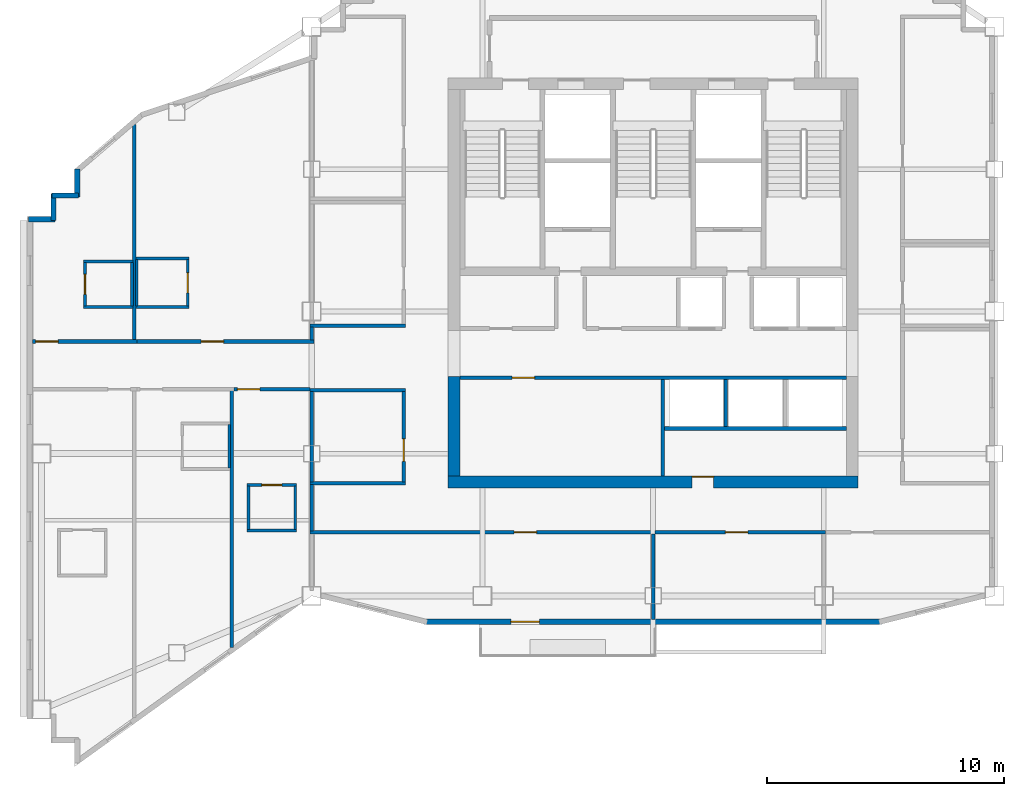
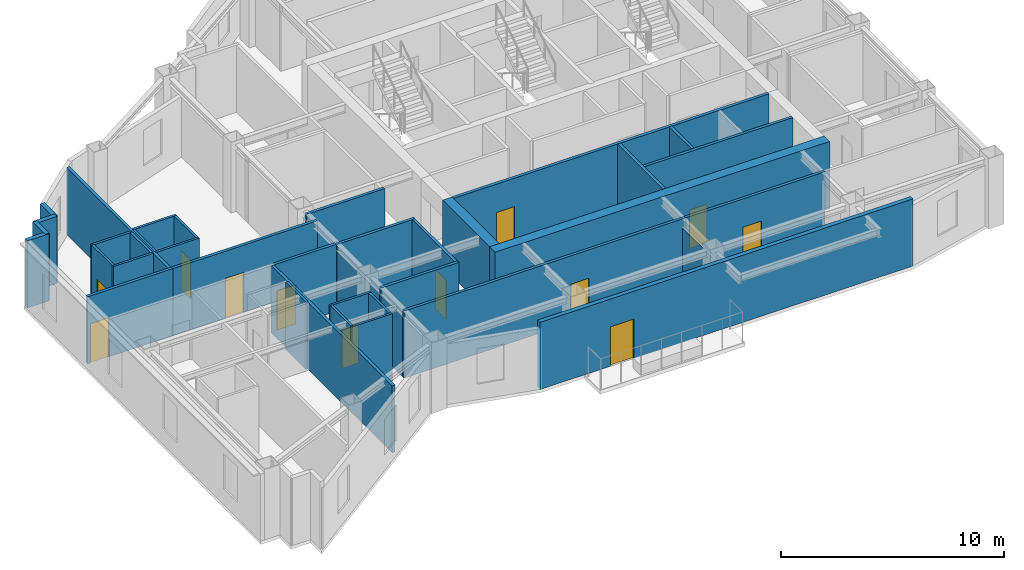
# One storey, part 5 of 10: 39 walls, 12 doors, 12 openings.
"""IFC4 building model written with IfcOpenShell, lengths in metres."""

import ifcopenshell
import ifcopenshell.guid

model = None  # the IFC model being written
_history = None  # IfcOwnerHistory: only IFC2X3 demands one
_inside = {}  # id of a spatial element -> (the spatial element, [elements in it])
_under = {}  # id of a project, library or spatial element -> (it, [spatial elements below it])
_declared = {}  # id of a project -> (the project, [libraries it declares])
_typed = {}  # id of a type object -> (the type object, [elements of that type])
_made_of = {}  # id of a material, layer set ... -> (it, [elements and type objects made of it])


def new_model(schema):
    """Start an empty IFC model of exactly this schema.

    Asked for "IFC4X3", IfcOpenShell would pick the latest addendum, in which some entities
    have other attributes; the version numbers below select the first issue.
    IFC2X3 requires an IfcOwnerHistory on every rooted entity: one is made here for all.
    """
    global model, _history
    if schema == "IFC4X3":
        model = ifcopenshell.file(schema_version=(4, 3, 0, 0))
    else:
        model = ifcopenshell.file(schema=schema)
    _inside.clear()
    _under.clear()
    _declared.clear()
    _typed.clear()
    _made_of.clear()
    _history = None
    if model.schema == "IFC2X3":
        org = make("IfcOrganization", Name="unknown")
        user = make(
            "IfcPersonAndOrganization",
            ThePerson=make("IfcPerson", FamilyName="unknown"),
            TheOrganization=org,
        )
        app = make(
            "IfcApplication",
            ApplicationDeveloper=org,
            Version="unknown",
            ApplicationFullName="unknown",
            ApplicationIdentifier="unknown",
        )
        _history = make(
            "IfcOwnerHistory",
            OwningUser=user,
            OwningApplication=app,
            ChangeAction="ADDED",
            CreationDate=0,
        )
    return model


def make(cls, **values):
    """One entity of the class cls with the attributes given. An attribute that is None is left unset."""
    return model.create_entity(
        cls, **{name: value for name, value in values.items() if value is not None}
    )


def rooted(cls, **values):
    """An entity with a GlobalId (a new one), such as an element, a storey or a relation."""
    return make(cls, GlobalId=ifcopenshell.guid.new(), OwnerHistory=_history, **values)


def si_unit(unit_type, name, prefix=None):
    """IfcSIUnit, for example si_unit("LENGTHUNIT", "METRE", prefix="MILLI")."""
    return make("IfcSIUnit", UnitType=unit_type, Prefix=prefix, Name=name)


def assignment(units):
    """IfcUnitAssignment: the units of a project."""
    return None if units is None else make("IfcUnitAssignment", Units=units)


def point(xyz):
    """IfcCartesianPoint."""
    return None if xyz is None else make("IfcCartesianPoint", Coordinates=xyz)


def direction(xyz):
    """IfcDirection."""
    return None if xyz is None else make("IfcDirection", DirectionRatios=xyz)


def frame(location, z_axis=None, x_axis=None):
    """IfcAxis2Placement3D, a coordinate frame: its origin and axes. An axis left out is left unset."""
    return make(
        "IfcAxis2Placement3D",
        Location=point(location),
        Axis=direction(z_axis),
        RefDirection=direction(x_axis),
    )


def frame_2d(location, x_axis=None):
    """IfcAxis2Placement2D, a coordinate frame in the plane: its origin and x axis."""
    return make(
        "IfcAxis2Placement2D", Location=point(location), RefDirection=direction(x_axis)
    )


def origin():
    """The frame at (0, 0, 0) with its axes left unset."""
    return frame((0.0, 0.0, 0.0))


def place(relative_to, where):
    """IfcLocalPlacement: puts the frame where relative to a parent placement (None: the world)."""
    return make(
        "IfcLocalPlacement", PlacementRelTo=relative_to, RelativePlacement=where
    )


def context(
    kind, dimensions, precision=None, world=None, true_north=None, identifier=None
):
    """IfcGeometricRepresentationContext, for example the 3D "Model" context."""
    return make(
        "IfcGeometricRepresentationContext",
        ContextIdentifier=identifier,
        ContextType=kind,
        CoordinateSpaceDimension=dimensions,
        Precision=precision,
        WorldCoordinateSystem=world,
        TrueNorth=true_north,
    )


def subcontext(parent, identifier, kind, view, scale=None):
    """IfcGeometricRepresentationSubContext, for example "Body" below "Model"."""
    return make(
        "IfcGeometricRepresentationSubContext",
        ContextIdentifier=identifier,
        ContextType=kind,
        ParentContext=parent,
        TargetScale=scale,
        TargetView=view,
    )


def project(units=None, contexts=None):
    """IfcProject with its units and contexts."""
    return rooted(
        "IfcProject",
        Name="project",
        RepresentationContexts=contexts,
        UnitsInContext=assignment(units),
    )


def spatial(cls, under=None, at=None, **own):
    """A site, building, storey or space (cls), placed at a placement, below another one or the project."""
    s = rooted(cls, ObjectPlacement=at, **own)
    if under is not None:
        _under.setdefault(under.id(), (under, []))[1].append(s)
    return s


def profile(cls, at=None, kind="AREA", **sizes):
    """A parametric profile (cls). Its sizes go by their IFC names, for example OverallWidth=200.0."""
    return make(cls, ProfileType=kind, Position=at, **sizes)


def rectangle(**sizes):
    """IfcRectangleProfileDef."""
    return profile("IfcRectangleProfileDef", **sizes)


def extrude(swept, where, along, depth):
    """IfcExtrudedAreaSolid: the profile swept, set in the frame where, extruded along a direction by depth."""
    return make(
        "IfcExtrudedAreaSolid",
        SweptArea=swept,
        Position=where,
        ExtrudedDirection=direction(along),
        Depth=depth,
    )


def shape(context_of_items, identifier, shape_type, items):
    """IfcShapeRepresentation: the items that make up one representation, for example the "Body"."""
    return make(
        "IfcShapeRepresentation",
        ContextOfItems=context_of_items,
        RepresentationIdentifier=identifier,
        RepresentationType=shape_type,
        Items=items,
    )


def material(Name=None, Category=None):
    """IfcMaterial."""
    return make("IfcMaterial", Name=Name, Category=Category)


def layer(
    of_material, thickness, ventilated=None, Name=None, Category=None, Priority=None
):
    """IfcMaterialLayer: one layer of a wall or slab, of a material (None: an air gap)."""
    return make(
        "IfcMaterialLayer",
        Material=of_material,
        LayerThickness=thickness,
        IsVentilated=ventilated,
        Name=Name,
        Category=Category,
        Priority=Priority,
    )


def layer_set(layers, Name=None):
    """IfcMaterialLayerSet."""
    return make("IfcMaterialLayerSet", MaterialLayers=layers, LayerSetName=Name)


def made_of(thing, what):
    """Note that an element or type object is made of a material, layer set ...; save() writes the relation."""
    if what is not None:
        _made_of.setdefault(what.id(), (what, []))[1].append(thing)
    return thing


def type_object(cls, material=None, **own):
    """A type object (cls), such as IfcWallType, which elements share."""
    return made_of(rooted(cls, **own), material)


def element(
    cls,
    number,
    at=None,
    inside=None,
    cuts=None,
    type_object=None,
    material=None,
    context=None,
    identifier="Body",
    shape_type=None,
    held_by="IfcProductDefinitionShape",
    body=None,
    shapes=None,
    **own,
):
    """One element of the class cls, such as IfcWall. Its Tag is "e" and its number.

    at: its placement. inside: the storey or other place that contains it. cuts: it is an
    opening in that element (IfcRelVoidsElement). A single representation is given by context,
    identifier, shape_type and body (its items); several are given by shapes. held_by: the class
    of the entity that holds the representations. save() writes the other relations.
    """
    e = rooted(cls, Tag="e%d" % number, ObjectPlacement=at, **own)
    if body is not None:
        shapes = [shape(context, identifier, shape_type, body)]
    if shapes is not None:
        e.Representation = make(held_by, Representations=shapes)
    if inside is not None:
        _inside.setdefault(inside.id(), (inside, []))[1].append(e)
    if cuts is not None:
        rooted(
            "IfcRelVoidsElement", RelatingBuildingElement=cuts, RelatedOpeningElement=e
        )
    if type_object is not None:
        _typed.setdefault(type_object.id(), (type_object, []))[1].append(e)
    return made_of(e, material)


def fill(opening, filler):
    """IfcRelFillsElement: the door or window that sits in an opening."""
    return rooted(
        "IfcRelFillsElement",
        RelatingOpeningElement=opening,
        RelatedBuildingElement=filler,
    )


def aggregate(whole, parts):
    """IfcRelAggregates: a whole, such as a stair, and the parts it consists of."""
    return rooted("IfcRelAggregates", RelatingObject=whole, RelatedObjects=parts)


def save(model, path):
    """Write the relations noted so far, then the file.

    IfcRelAggregates (storeys below a building ...), IfcRelContainedInSpatialStructure (elements
    in a storey), IfcRelDefinesByType, IfcRelAssociatesMaterial and IfcRelDeclares: one each for
    every whole, place, type object, material and project.
    """
    for whole, parts in _under.values():
        aggregate(whole, parts)
    for where, things in _inside.values():
        rooted(
            "IfcRelContainedInSpatialStructure",
            RelatedElements=things,
            RelatingStructure=where,
        )
    for kind, things in _typed.values():
        rooted("IfcRelDefinesByType", RelatedObjects=things, RelatingType=kind)
    for what, things in _made_of.values():
        rooted("IfcRelAssociatesMaterial", RelatedObjects=things, RelatingMaterial=what)
    for by, libraries in _declared.values():
        rooted("IfcRelDeclares", RelatingContext=by, RelatedDefinitions=libraries)
    model.write(path)


model = new_model("IFC4")

# Units and contexts
model_context = context("Model", 3, precision=1e-05, world=origin(), true_north=direction((0.0, 1.0)))
body_context = subcontext(model_context, "Body", "Model", "MODEL_VIEW")
ifc_project = project(units=[si_unit("LENGTHUNIT", "METRE"), si_unit("AREAUNIT", "SQUARE_METRE"), si_unit("VOLUMEUNIT", "CUBIC_METRE"), si_unit("PLANEANGLEUNIT", "RADIAN"), si_unit("MASSUNIT", "GRAM", prefix="KILO")], contexts=[model_context])

# Site, building, storey
site_placement = place(None, origin())
site = spatial("IfcSite", under=ifc_project, at=site_placement, CompositionType="ELEMENT")
building_placement = place(site_placement, origin())
building = spatial("IfcBuilding", under=site, at=building_placement, Name="Haolan Belvedere Tower", CompositionType="ELEMENT")
storey_placement = place(building_placement, frame((0.0, 0.0, 266.0)))
storey = spatial("IfcBuildingStorey", under=building, at=storey_placement, Name="L67", CompositionType="ELEMENT", Elevation=266.0)

# Wall, opening, door
ifc_material_1 = material(Name="Concrete C50/60", Category="concrete")
ifc_layer_1 = layer(ifc_material_1, 0.5, Name="Concrete C50/60")
ifc_layer_set_1 = layer_set([ifc_layer_1], Name="Concrete C50/60")
wall_type_1 = type_object("IfcWallType", Name="WL-CORE-500", PredefinedType="SHEAR", material=ifc_layer_set_1)
wall_1_placement = place(storey_placement, frame((29.75, 26.39990234375, 0.0), z_axis=(0.0, 0.0, 1.0), x_axis=(1.0, 0.0, 0.0)))
wall_1 = element("IfcWall", 1, at=wall_1_placement, inside=storey, type_object=wall_type_1, Name="L67 central core south shear wall", PredefinedType="SHEAR", context=body_context, shape_type="SweptSolid", body=[
    extrude(rectangle(XDim=17.300048828125, YDim=0.5, at=frame_2d((8.64990234375, 0.0))), origin(), (0.0, 0.0, 1.0), 3.669921875),
])
opening_1_placement = place(wall_1_placement, frame((11.199951171875, 0.0, 0.0), z_axis=(0.0, 0.0, 1.0), x_axis=(-1.0, 0.0, 0.0)))
opening_1 = element("IfcOpeningElement", 2, at=opening_1_placement, cuts=wall_1, Name="Opening FD-05", PredefinedType="OPENING", context=body_context, shape_type="SweptSolid", body=[
    extrude(rectangle(XDim=0.89990234375, YDim=2.10009765625, at=frame_2d((0.449951171875, 1.050048828125))), frame((0.0, 0.260009765625, 0.0), z_axis=(0.0, -1.0, 0.0), x_axis=(1.0, 0.0, 0.0)), (0.0, 0.0, 1.0), 0.52001953125),
])
ifc_material_2 = material(Name="Galvanised fire-rated steel", Category="steel")
door_type_1 = type_object("IfcDoorType", Name="DR-FD60-900", OperationType="NOTDEFINED", PredefinedType="DOOR", material=ifc_material_2)
door_1_placement = place(opening_1_placement, origin())
door_1 = element("IfcDoor", 3, at=door_1_placement, inside=storey, type_object=door_type_1, Name="L67 door CD-L67-SCVE", OperationType="SINGLE_SWING_RIGHT", OverallHeight=2.10009765625, OverallWidth=0.89990234375, PredefinedType="DOOR", context=body_context, shape_type="SweptSolid", body=[
    extrude(rectangle(XDim=0.89990234375, YDim=2.10009765625, at=frame_2d((0.449951171875, 1.050048828125))), frame((0.0, -0.19482421875, 0.0), z_axis=(0.0, -1.0, 0.0), x_axis=(1.0, 0.0, 0.0)), (0.0, 0.0, 1.0), 0.050048828125),
])
fill(opening_1, door_1)

# Wall
wall_2_placement = place(storey_placement, frame((30.0, 26.64990234375, 0.0), z_axis=(0.0, 0.0, 1.0), x_axis=(0.0, 1.0, 0.0)))
element("IfcWall", 4, at=wall_2_placement, inside=storey, type_object=wall_type_1, Name="L67 central core shear wall WS", PredefinedType="SHEAR", context=body_context, shape_type="SweptSolid", body=[
    extrude(rectangle(XDim=4.2001953125, YDim=0.5, at=frame_2d((2.10009765625, 0.0))), origin(), (0.0, 0.0, 1.0), 3.669921875),
])

# Wall, opening, door
ifc_material_3 = material(Name="Precast concrete C40/50", Category="concrete")
ifc_layer_2 = layer(ifc_material_3, 0.219970703125, Name="Precast concrete C40/50")
ifc_layer_set_2 = layer_set([ifc_layer_2], Name="Precast concrete C40/50")
wall_type_2 = type_object("IfcWallType", Name="WL-EXT-220", PredefinedType="SOLIDWALL", material=ifc_layer_set_2)
wall_3_placement = place(storey_placement, frame((28.758544921875, 20.510009765625, 0.0), z_axis=(0.0, 0.0, 1.0), x_axis=(1.0, 0.0, 0.0)))
wall_3 = element("IfcWall", 5, at=wall_3_placement, inside=storey, type_object=wall_type_2, Name="L67 pale-metal exterior spandrel wall 1.1", PredefinedType="SOLIDWALL", context=body_context, shape_type="SweptSolid", body=[
    extrude(rectangle(XDim=19.282958984375, YDim=0.219970703125, at=frame_2d((9.6416015625, 0.0))), origin(), (0.0, 0.0, 1.0), 3.669921875),
])
opening_2_placement = place(wall_3_placement, frame((4.841552734375, 0.0, 0.0), z_axis=(0.0, 0.0, 1.0), x_axis=(-1.0, 0.0, 0.0)))
opening_2 = element("IfcOpeningElement", 6, at=opening_2_placement, cuts=wall_3, Name="Opening BD-01", PredefinedType="OPENING", context=body_context, shape_type="SweptSolid", body=[
    extrude(rectangle(XDim=1.199951171875, YDim=2.14990234375, at=frame_2d((0.60009765625, 1.074951171875))), frame((0.0, 0.119873046875, 0.0), z_axis=(0.0, -1.0, 0.0), x_axis=(1.0, 0.0, 0.0)), (0.0, 0.0, 1.0), 0.239990234375),
])
ifc_material_4 = material(Name="Thermally broken pale-metal aluminium and Low-E glass", Category="aluminium")
door_type_2 = type_object("IfcDoorType", Name="DR-BAL-1200", OperationType="NOTDEFINED", PredefinedType="DOOR", material=ifc_material_4)
door_2_placement = place(opening_2_placement, origin())
door_2 = element("IfcDoor", 7, at=door_2_placement, inside=storey, type_object=door_type_2, Name="L67 tree-balcony access door 1", OperationType="SINGLE_SWING_LEFT", OverallHeight=2.14990234375, OverallWidth=1.199951171875, PredefinedType="DOOR", context=body_context, shape_type="SweptSolid", body=[
    extrude(rectangle(XDim=1.199951171875, YDim=2.14990234375, at=frame_2d((0.60009765625, 1.074951171875))), frame((0.0, 0.02490234375, 0.0), z_axis=(0.0, -1.0, 0.0), x_axis=(1.0, 0.0, 0.0)), (0.0, 0.0, 1.0), 0.050048828125),
])
fill(opening_2, door_2)

# Walls
wall_4_placement = place(storey_placement, frame((14.110107421875, 39.6044921875, 0.0), z_axis=(0.0, 0.0, 1.0), x_axis=(0.0, -1.0, 0.0)))
element("IfcWall", 8, at=wall_4_placement, inside=storey, type_object=wall_type_2, Name="L67 pale-metal exterior spandrel wall 19.1", PredefinedType="SOLIDWALL", context=body_context, shape_type="SweptSolid", body=[
    extrude(rectangle(XDim=1.16943359375, YDim=0.219970703125, at=frame_2d((0.584716796875, 0.0))), origin(), (0.0, 0.0, 1.0), 3.669921875),
])
wall_5_placement = place(storey_placement, frame((14.1650390625, 38.489990234375, 0.0), z_axis=(0.0, 0.0, 1.0), x_axis=(-1.0, 0.0, 0.0)))
element("IfcWall", 9, at=wall_5_placement, inside=storey, type_object=wall_type_2, Name="L67 pale-metal exterior spandrel wall 20.1", PredefinedType="SOLIDWALL", context=body_context, shape_type="SweptSolid", body=[
    extrude(rectangle(XDim=1.110107421875, YDim=0.219970703125, at=frame_2d((0.55517578125, 0.0))), origin(), (0.0, 0.0, 1.0), 3.669921875),
])
wall_6_placement = place(storey_placement, frame((13.110107421875, 38.544921875, 0.0), z_axis=(0.0, 0.0, 1.0), x_axis=(0.0, -1.0, 0.0)))
element("IfcWall", 10, at=wall_6_placement, inside=storey, type_object=wall_type_2, Name="L67 pale-metal exterior spandrel wall 21.1", PredefinedType="SOLIDWALL", context=body_context, shape_type="SweptSolid", body=[
    extrude(rectangle(XDim=1.10986328125, YDim=0.219970703125, at=frame_2d((0.554931640625, 0.0))), origin(), (0.0, 0.0, 1.0), 3.669921875),
])
wall_7_placement = place(storey_placement, frame((13.1650390625, 37.489990234375, 0.0), z_axis=(0.0, 0.0, 1.0), x_axis=(-1.0, 0.0, 0.0)))
element("IfcWall", 11, at=wall_7_placement, inside=storey, type_object=wall_type_2, Name="L67 pale-metal exterior spandrel wall 22.1", PredefinedType="SOLIDWALL", context=body_context, shape_type="SweptSolid", body=[
    extrude(rectangle(XDim=1.110107421875, YDim=0.219970703125, at=frame_2d((0.55517578125, 0.0))), origin(), (0.0, 0.0, 1.0), 3.669921875),
])
ifc_material_5 = material(Name="Double gypsum acoustic stud partition", Category="masonry")
ifc_layer_3 = layer(ifc_material_5, 0.14990234375, Name="Double gypsum acoustic stud partition")
ifc_layer_set_3 = layer_set([ifc_layer_3], Name="Double gypsum acoustic stud partition")
wall_type_3 = type_object("IfcWallType", Name="WL-PART-150", PredefinedType="PARTITIONING", material=ifc_layer_set_3)
wall_8_placement = place(storey_placement, frame((38.860107421875, 28.659912109375, 0.0), z_axis=(0.0, 0.0, 1.0), x_axis=(1.0, 0.0, 0.0)))
element("IfcWall", 12, at=wall_8_placement, inside=storey, type_object=wall_type_3, Name="L67 interior partition IW-L67-SSTRIP-E", PredefinedType="PARTITIONING", context=body_context, shape_type="SweptSolid", body=[
    extrude(rectangle(XDim=7.68994140625, YDim=0.14990234375, at=frame_2d((3.844970703125, 0.0))), origin(), (0.0, 0.0, 1.0), 3.669921875),
])
for number, where, z_axis, x_axis, name in (
    (13, (23.919921875, 33.0, 0.0), (0.0, 0.0, 1.0), (1.0, 0.0, 0.0), "L67 interior partition IW-L67-HSK-S"),
    (14, (23.919921875, 30.280029296875, 0.0), (0.0, 0.0, 1.0), (1.0, 0.0, 0.0), "L67 interior partition IW-L67-PKTW-N"),
    (15, (23.919921875, 26.35009765625, 0.0), (0.0, 0.0, 1.0), (1.0, 0.0, 0.0), "L67 interior partition IW-L67-PKTW-S"),
):
    element("IfcWall", number, at=place(storey_placement, frame(where, z_axis=z_axis, x_axis=x_axis)), inside=storey, type_object=wall_type_3, Name=name, PredefinedType="PARTITIONING", context=body_context, shape_type="SweptSolid", body=[
        extrude(rectangle(XDim=4.0400390625, YDim=0.14990234375, at=frame_2d((2.02001953125, 0.0))), origin(), (0.0, 0.0, 1.0), 3.669921875),
    ])
wall_9_placement = place(storey_placement, frame((24.0, 26.409912109375, 0.0), z_axis=(0.0, 0.0, 1.0), x_axis=(0.0, 1.0, 0.0)))
element("IfcWall", 16, at=wall_9_placement, inside=storey, type_object=wall_type_3, Name="L67 interior partition IW-L67-PKTW-W", PredefinedType="PARTITIONING", context=body_context, shape_type="SweptSolid", body=[
    extrude(rectangle(XDim=3.81005859375, YDim=0.14990234375, at=frame_2d((1.905029296875, 0.0))), origin(), (0.0, 0.0, 1.0), 3.31494140625),
])

# Wall, opening, door
wall_10_placement = place(storey_placement, frame((27.8798828125, 26.409912109375, 0.0), z_axis=(0.0, 0.0, 1.0), x_axis=(0.0, 1.0, 0.0)))
wall_10 = element("IfcWall", 17, at=wall_10_placement, inside=storey, type_object=wall_type_3, Name="L67 interior partition IW-L67-PKTW-E", PredefinedType="PARTITIONING", context=body_context, shape_type="SweptSolid", body=[
    extrude(rectangle(XDim=3.81005859375, YDim=0.14990234375, at=frame_2d((1.905029296875, 0.0))), origin(), (0.0, 0.0, 1.0), 3.669921875),
])
opening_3_placement = place(wall_10_placement, frame((1.81005859375, 0.0, 0.0), z_axis=(0.0, 0.0, 1.0), x_axis=(-1.0, 0.0, 0.0)))
opening_3 = element("IfcOpeningElement", 18, at=opening_3_placement, cuts=wall_10, Name="Opening ID-03", PredefinedType="OPENING", context=body_context, shape_type="SweptSolid", body=[
    extrude(rectangle(XDim=0.949951171875, YDim=2.1201171875, at=frame_2d((0.47509765625, 1.06005859375))), frame((0.0, 0.0849609375, 0.0), z_axis=(0.0, -1.0, 0.0), x_axis=(1.0, 0.0, 0.0)), (0.0, 0.0, 1.0), 0.169921875),
])
ifc_material_6 = material(Name="Painted solid-core timber", Category="wood")
door_type_3 = type_object("IfcDoorType", Name="DR-INT-950", OperationType="NOTDEFINED", PredefinedType="DOOR", material=ifc_material_6)
door_3_placement = place(opening_3_placement, origin())
door_3 = element("IfcDoor", 19, at=door_3_placement, inside=storey, type_object=door_type_3, Name="L67 door ID-L67-PKTW", OperationType="SINGLE_SWING_LEFT", OverallHeight=2.1201171875, OverallWidth=0.949951171875, PredefinedType="DOOR", context=body_context, shape_type="SweptSolid", body=[
    extrude(rectangle(XDim=0.949951171875, YDim=2.1201171875, at=frame_2d((0.47509765625, 1.06005859375))), frame((0.0, 0.02490234375, 0.0), z_axis=(0.0, -1.0, 0.0), x_axis=(1.0, 0.0, 0.0)), (0.0, 0.0, 1.0), 0.050048828125),
])
fill(opening_3, door_3)

wall_11_placement = place(storey_placement, frame((23.919921875, 24.280029296875, 0.0), z_axis=(0.0, 0.0, 1.0), x_axis=(1.0, 0.0, 0.0)))
wall_11 = element("IfcWall", 20, at=wall_11_placement, inside=storey, type_object=wall_type_3, Name="L67 interior partition IW-L67-KS1-N", PredefinedType="PARTITIONING", context=body_context, shape_type="SweptSolid", body=[
    extrude(rectangle(XDim=14.56005859375, YDim=0.14990234375, at=frame_2d((7.280029296875, 0.0))), origin(), (0.0, 0.0, 1.0), 3.669921875),
])
opening_4_placement = place(wall_11_placement, frame((9.570068359375, 0.0, 0.0), z_axis=(0.0, 0.0, 1.0), x_axis=(-1.0, 0.0, 0.0)))
opening_4 = element("IfcOpeningElement", 21, at=opening_4_placement, cuts=wall_11, Name="Opening ID-03", PredefinedType="OPENING", context=body_context, shape_type="SweptSolid", body=[
    extrude(rectangle(XDim=0.949951171875, YDim=2.1201171875, at=frame_2d((0.47509765625, 1.06005859375))), frame((0.0, 0.0849609375, 0.0), z_axis=(0.0, -1.0, 0.0), x_axis=(1.0, 0.0, 0.0)), (0.0, 0.0, 1.0), 0.169921875),
])
door_4_placement = place(opening_4_placement, origin())
door_4 = element("IfcDoor", 22, at=door_4_placement, inside=storey, type_object=door_type_3, Name="L67 door ID-L67-KS1", OperationType="SINGLE_SWING_LEFT", OverallHeight=2.1201171875, OverallWidth=0.949951171875, PredefinedType="DOOR", context=body_context, shape_type="SweptSolid", body=[
    extrude(rectangle(XDim=0.949951171875, YDim=2.1201171875, at=frame_2d((0.47509765625, 1.06005859375))), frame((0.0, 0.02490234375, 0.0), z_axis=(0.0, -1.0, 0.0), x_axis=(1.0, 0.0, 0.0)), (0.0, 0.0, 1.0), 0.050048828125),
])
fill(opening_4, door_4)

# Wall
wall_12_placement = place(storey_placement, frame((38.39990234375, 20.612060546875, 0.0), z_axis=(0.0, 0.0, 1.0), x_axis=(0.0, 1.0, 0.0)))
element("IfcWall", 23, at=wall_12_placement, inside=storey, type_object=wall_type_3, Name="L67 interior partition IW-L67-KS1-E", PredefinedType="PARTITIONING", context=body_context, shape_type="SweptSolid", body=[
    extrude(rectangle(XDim=3.60791015625, YDim=0.14990234375, at=frame_2d((1.803955078125, 0.0))), origin(), (0.0, 0.0, 1.0), 3.155029296875),
])

# Wall, opening, door
wall_13_placement = place(storey_placement, frame((38.48193359375, 24.280029296875, 0.0), z_axis=(0.0, 0.0, 1.0), x_axis=(1.0, 0.0, 0.0)))
wall_13 = element("IfcWall", 24, at=wall_13_placement, inside=storey, type_object=wall_type_3, Name="L67 interior partition IW-L67-KS2-N", PredefinedType="PARTITIONING", context=body_context, shape_type="SweptSolid", body=[
    extrude(rectangle(XDim=7.197998046875, YDim=0.14990234375, at=frame_2d((3.59912109375, 0.0))), origin(), (0.0, 0.0, 1.0), 3.669921875),
])
opening_5_placement = place(wall_13_placement, frame((3.912841796875, 0.0, 0.0), z_axis=(0.0, 0.0, 1.0), x_axis=(-1.0, 0.0, 0.0)))
opening_5 = element("IfcOpeningElement", 25, at=opening_5_placement, cuts=wall_13, Name="Opening ID-03", PredefinedType="OPENING", context=body_context, shape_type="SweptSolid", body=[
    extrude(rectangle(XDim=0.949951171875, YDim=2.1201171875, at=frame_2d((0.47509765625, 1.06005859375))), frame((0.0, 0.0849609375, 0.0), z_axis=(0.0, -1.0, 0.0), x_axis=(1.0, 0.0, 0.0)), (0.0, 0.0, 1.0), 0.169921875),
])
door_5_placement = place(opening_5_placement, origin())
door_5 = element("IfcDoor", 26, at=door_5_placement, inside=storey, type_object=door_type_3, Name="L67 door ID-L67-KS2", OperationType="SINGLE_SWING_RIGHT", OverallHeight=2.1201171875, OverallWidth=0.949951171875, PredefinedType="DOOR", context=body_context, shape_type="SweptSolid", body=[
    extrude(rectangle(XDim=0.949951171875, YDim=2.1201171875, at=frame_2d((0.47509765625, 1.06005859375))), frame((0.0, 0.02490234375, 0.0), z_axis=(0.0, -1.0, 0.0), x_axis=(1.0, 0.0, 0.0)), (0.0, 0.0, 1.0), 0.050048828125),
])
fill(opening_5, door_5)

wall_14_placement = place(storey_placement, frame((12.2119140625, 32.330078125, 0.0), z_axis=(0.0, 0.0, 1.0), x_axis=(1.0, 0.0, 0.0)))
wall_14 = element("IfcWall", 27, at=wall_14_placement, inside=storey, type_object=wall_type_3, Name="L67 interior partition IW-L67-T2N1-S", PredefinedType="PARTITIONING", context=body_context, shape_type="SweptSolid", body=[
    extrude(rectangle(XDim=4.408203125, YDim=0.14990234375, at=frame_2d((2.2041015625, 0.0))), origin(), (0.0, 0.0, 1.0), 3.669921875),
])
opening_6_placement = place(wall_14_placement, frame((0.139892578125, 0.0, 0.0)))
opening_6 = element("IfcOpeningElement", 28, at=opening_6_placement, cuts=wall_14, Name="Opening ID-02", PredefinedType="OPENING", context=body_context, shape_type="SweptSolid", body=[
    extrude(rectangle(XDim=0.949951171875, YDim=2.14990234375, at=frame_2d((0.47509765625, 1.074951171875))), frame((0.0, 0.0849609375, 0.0), z_axis=(0.0, -1.0, 0.0), x_axis=(1.0, 0.0, 0.0)), (0.0, 0.0, 1.0), 0.169921875),
])
ifc_material_7 = material(Name="Acoustic oak veneer fire-rated timber", Category="wood")
door_type_4 = type_object("IfcDoorType", Name="DR-GUEST-950", OperationType="NOTDEFINED", PredefinedType="DOOR", material=ifc_material_7)
door_6_placement = place(opening_6_placement, origin())
door_6 = element("IfcDoor", 29, at=door_6_placement, inside=storey, type_object=door_type_4, Name="L67 door ID-L67-T2N1-ENT", OperationType="SINGLE_SWING_LEFT", OverallHeight=2.14990234375, OverallWidth=0.949951171875, PredefinedType="DOOR", context=body_context, shape_type="SweptSolid", body=[
    extrude(rectangle(XDim=0.949951171875, YDim=2.14990234375, at=frame_2d((0.47509765625, 1.074951171875))), frame((0.0, 0.02490234375, 0.0), z_axis=(0.0, -1.0, 0.0), x_axis=(1.0, 0.0, 0.0)), (0.0, 0.0, 1.0), 0.050048828125),
])
fill(opening_6, door_6)

# Wall
wall_15_placement = place(storey_placement, frame((16.52001953125, 32.389892578125, 0.0), z_axis=(0.0, 0.0, 1.0), x_axis=(0.0, 1.0, 0.0)))
element("IfcWall", 30, at=wall_15_placement, inside=storey, type_object=wall_type_3, Name="L67 interior partition IW-L67-T2N1-E", PredefinedType="PARTITIONING", context=body_context, shape_type="SweptSolid", body=[
    extrude(rectangle(XDim=9.0908203125, YDim=0.14990234375, at=frame_2d((4.54541015625, 0.0))), origin(), (0.0, 0.0, 1.0), 3.669921875),
])

# Wall, opening, door
wall_16_placement = place(storey_placement, frame((16.6220703125, 32.330078125, 0.0), z_axis=(0.0, 0.0, 1.0), x_axis=(1.0, 0.0, 0.0)))
wall_16 = element("IfcWall", 31, at=wall_16_placement, inside=storey, type_object=wall_type_3, Name="L67 interior partition IW-L67-T2N2-S", PredefinedType="PARTITIONING", context=body_context, shape_type="SweptSolid", body=[
    extrude(rectangle(XDim=7.47802734375, YDim=0.14990234375, at=frame_2d((3.739013671875, 0.0))), origin(), (0.0, 0.0, 1.0), 3.669921875),
])
opening_7_placement = place(wall_16_placement, frame((2.7080078125, 0.0, 0.0)))
opening_7 = element("IfcOpeningElement", 32, at=opening_7_placement, cuts=wall_16, Name="Opening ID-01", PredefinedType="OPENING", context=body_context, shape_type="SweptSolid", body=[
    extrude(rectangle(XDim=0.949951171875, YDim=2.179931640625, at=frame_2d((0.47509765625, 1.08984375))), frame((0.0, 0.0849609375, 0.0), z_axis=(0.0, -1.0, 0.0), x_axis=(1.0, 0.0, 0.0)), (0.0, 0.0, 1.0), 0.169921875),
])
ifc_material_8 = material(Name="Acoustic walnut veneer fire-rated timber", Category="wood")
door_type_5 = type_object("IfcDoorType", Name="DR-SUITE-950", OperationType="NOTDEFINED", PredefinedType="DOOR", material=ifc_material_8)
door_7_placement = place(opening_7_placement, origin())
door_7 = element("IfcDoor", 33, at=door_7_placement, inside=storey, type_object=door_type_5, Name="L67 door ID-L67-T2N2-ENT", OperationType="SINGLE_SWING_RIGHT", OverallHeight=2.179931640625, OverallWidth=0.949951171875, PredefinedType="DOOR", context=body_context, shape_type="SweptSolid", body=[
    extrude(rectangle(XDim=0.949951171875, YDim=2.179931640625, at=frame_2d((0.47509765625, 1.08984375))), frame((0.0, 0.02490234375, 0.0), z_axis=(0.0, -1.0, 0.0), x_axis=(1.0, 0.0, 0.0)), (0.0, 0.0, 1.0), 0.050048828125),
])
fill(opening_7, door_7)

# Walls
wall_17_placement = place(storey_placement, frame((24.0, 32.389892578125, 0.0), z_axis=(0.0, 0.0, 1.0), x_axis=(0.0, 1.0, 0.0)))
element("IfcWall", 34, at=wall_17_placement, inside=storey, type_object=wall_type_3, Name="L67 interior partition IW-L67-T2N2-E", PredefinedType="PARTITIONING", context=body_context, shape_type="SweptSolid", body=[
    extrude(rectangle(XDim=0.550048828125, YDim=0.14990234375, at=frame_2d((0.27490234375, 0.0))), origin(), (0.0, 0.0, 1.0), 3.31494140625),
])
wall_18_placement = place(storey_placement, frame((20.6201171875, 19.427490234375, 0.0), z_axis=(0.0, 0.0, 1.0), x_axis=(0.0, 1.0, 0.0)))
element("IfcWall", 35, at=wall_18_placement, inside=storey, type_object=wall_type_3, Name="L67 interior partition IW-L67-T2S2-E", PredefinedType="PARTITIONING", context=body_context, shape_type="SweptSolid", body=[
    extrude(rectangle(XDim=10.83251953125, YDim=0.14990234375, at=frame_2d((5.416259765625, 0.0))), origin(), (0.0, 0.0, 1.0), 3.669921875),
])

# Wall, opening, door
wall_19_placement = place(storey_placement, frame((20.721923828125, 30.320068359375, 0.0), z_axis=(0.0, 0.0, 1.0), x_axis=(1.0, 0.0, 0.0)))
wall_19 = element("IfcWall", 36, at=wall_19_placement, inside=storey, type_object=wall_type_3, Name="L67 interior partition IW-L67-T2S3-N", PredefinedType="PARTITIONING", context=body_context, shape_type="SweptSolid", body=[
    extrude(rectangle(XDim=3.196044921875, YDim=0.14990234375, at=frame_2d((1.59814453125, 0.0))), origin(), (0.0, 0.0, 1.0), 3.669921875),
])
opening_8_placement = place(wall_19_placement, frame((1.08984375, 0.0, 0.0), z_axis=(0.0, 0.0, 1.0), x_axis=(-1.0, 0.0, 0.0)))
opening_8 = element("IfcOpeningElement", 37, at=opening_8_placement, cuts=wall_19, Name="Opening ID-02", PredefinedType="OPENING", context=body_context, shape_type="SweptSolid", body=[
    extrude(rectangle(XDim=0.949951171875, YDim=2.14990234375, at=frame_2d((0.47509765625, 1.074951171875))), frame((0.0, 0.0849609375, 0.0), z_axis=(0.0, -1.0, 0.0), x_axis=(1.0, 0.0, 0.0)), (0.0, 0.0, 1.0), 0.169921875),
])
door_8_placement = place(opening_8_placement, origin())
door_8 = element("IfcDoor", 38, at=door_8_placement, inside=storey, type_object=door_type_4, Name="L67 door ID-L67-T2S3-ENT", OperationType="SINGLE_SWING_LEFT", OverallHeight=2.14990234375, OverallWidth=0.949951171875, PredefinedType="DOOR", context=body_context, shape_type="SweptSolid", body=[
    extrude(rectangle(XDim=0.949951171875, YDim=2.14990234375, at=frame_2d((0.47509765625, 1.074951171875))), frame((0.0, 0.02490234375, 0.0), z_axis=(0.0, -1.0, 0.0), x_axis=(1.0, 0.0, 0.0)), (0.0, 0.0, 1.0), 0.050048828125),
])
fill(opening_8, door_8)

# Wall
wall_20_placement = place(storey_placement, frame((24.0, 24.340087890625, 0.0), z_axis=(0.0, 0.0, 1.0), x_axis=(0.0, 1.0, 0.0)))
element("IfcWall", 39, at=wall_20_placement, inside=storey, type_object=wall_type_3, Name="L67 interior partition IW-L67-T2S3-E", PredefinedType="PARTITIONING", context=body_context, shape_type="SweptSolid", body=[
    extrude(rectangle(XDim=1.949951171875, YDim=0.14990234375, at=frame_2d((0.97509765625, 0.0))), origin(), (0.0, 0.0, 1.0), 3.31494140625),
])

# Wall, opening, door
ifc_material_9 = material(Name="Gypsum fire shaftwall assembly", Category="masonry")
ifc_layer_4 = layer(ifc_material_9, 0.1650390625, Name="Gypsum fire shaftwall assembly")
ifc_layer_set_4 = layer_set([ifc_layer_4], Name="Gypsum fire shaftwall assembly")
wall_type_4 = type_object("IfcWallType", Name="WL-SHAFT-160", PredefinedType="SOLIDWALL", material=ifc_layer_set_4)
wall_21_placement = place(storey_placement, frame((30.25, 30.800048828125, 0.0), z_axis=(0.0, 0.0, 1.0), x_axis=(1.0, 0.0, 0.0)))
wall_21 = element("IfcWall", 40, at=wall_21_placement, inside=storey, type_object=wall_type_4, Name="L67 interior partition IW-L67-ROW-PS", PredefinedType="SOLIDWALL", context=body_context, shape_type="SweptSolid", body=[
    extrude(rectangle(XDim=16.300048828125, YDim=0.159912109375, at=frame_2d((8.14990234375, 0.0))), origin(), (0.0, 0.0, 1.0), 3.669921875),
])
opening_9_placement = place(wall_21_placement, frame((2.199951171875, 0.0, 0.0)))
opening_9 = element("IfcOpeningElement", 41, at=opening_9_placement, cuts=wall_21, Name="Opening ID-03", PredefinedType="OPENING", context=body_context, shape_type="SweptSolid", body=[
    extrude(rectangle(XDim=0.949951171875, YDim=2.1201171875, at=frame_2d((0.47509765625, 1.06005859375))), frame((0.0, 0.08984375, 0.0), z_axis=(0.0, -1.0, 0.0), x_axis=(1.0, 0.0, 0.0)), (0.0, 0.0, 1.0), 0.179931640625),
])
door_9_placement = place(opening_9_placement, origin())
door_9 = element("IfcDoor", 42, at=door_9_placement, inside=storey, type_object=door_type_3, Name="L67 door ID-L67-CD-RPMA", OperationType="SINGLE_SWING_LEFT", OverallHeight=2.1201171875, OverallWidth=0.949951171875, PredefinedType="DOOR", context=body_context, shape_type="SweptSolid", body=[
    extrude(rectangle(XDim=0.949951171875, YDim=2.1201171875, at=frame_2d((0.47509765625, 1.06005859375))), frame((0.0, 0.02490234375, 0.0), z_axis=(0.0, -1.0, 0.0), x_axis=(1.0, 0.0, 0.0)), (0.0, 0.0, 1.0), 0.050048828125),
])
fill(opening_9, door_9)

# Walls
wall_22_placement = place(storey_placement, frame((38.800048828125, 26.659912109375, 0.0), z_axis=(0.0, 0.0, 1.0), x_axis=(0.0, 1.0, 0.0)))
element("IfcWall", 43, at=wall_22_placement, inside=storey, type_object=wall_type_4, Name="L67 interior partition IW-L67-DIV-PM-OB", PredefinedType="SOLIDWALL", context=body_context, shape_type="SweptSolid", body=[
    extrude(rectangle(XDim=4.0751953125, YDim=0.14990234375, at=frame_2d((2.03759765625, 0.0))), origin(), (0.0, 0.0, 1.0), 3.669921875),
])
wall_23_placement = place(storey_placement, frame((41.469970703125, 28.75, 0.0), z_axis=(0.0, 0.0, 1.0), x_axis=(0.0, 1.0, 0.0)))
element("IfcWall", 44, at=wall_23_placement, inside=storey, type_object=wall_type_4, Name="L67 interior partition IW-L67-DIV-OB1", PredefinedType="SOLIDWALL", context=body_context, shape_type="SweptSolid", body=[
    extrude(rectangle(XDim=1.985107421875, YDim=0.14990234375, at=frame_2d((0.99267578125, 0.0))), origin(), (0.0, 0.0, 1.0), 3.669921875),
])
ifc_material_10 = material(Name="Moisture-resistant gypsum tile partition", Category="masonry")
ifc_layer_5 = layer(ifc_material_10, 0.1201171875, Name="Moisture-resistant gypsum tile partition")
ifc_layer_set_5 = layer_set([ifc_layer_5], Name="Moisture-resistant gypsum tile partition")
wall_type_5 = type_object("IfcWallType", Name="WL-WET-120", PredefinedType="PARTITIONING", material=ifc_layer_set_5)
for number, where, z_axis, x_axis, name in (
    (45, (14.3798828125, 35.699951171875, 0.0), (0.0, 0.0, 1.0), (1.0, 0.0, 0.0), "L67 interior partition IW-L67-T2N1-BN"),
    (46, (14.3798828125, 33.780029296875, 0.0), (0.0, 0.0, 1.0), (1.0, 0.0, 0.0), "L67 interior partition IW-L67-T2N1-BS"),
):
    element("IfcWall", number, at=place(storey_placement, frame(where, z_axis=z_axis, x_axis=x_axis)), inside=storey, type_object=wall_type_5, Name=name, PredefinedType="PARTITIONING", context=body_context, shape_type="SweptSolid", body=[
        extrude(rectangle(XDim=2.080078125, YDim=0.1201171875, at=frame_2d((1.0400390625, 0.0))), origin(), (0.0, 0.0, 1.0), 3.669921875),
    ])

# Wall, opening, door
wall_24_placement = place(storey_placement, frame((14.43994140625, 33.824951171875, 0.0), z_axis=(0.0, 0.0, 1.0), x_axis=(0.0, 1.0, 0.0)))
wall_24 = element("IfcWall", 47, at=wall_24_placement, inside=storey, type_object=wall_type_5, Name="L67 interior partition IW-L67-T2N1-BW", PredefinedType="PARTITIONING", context=body_context, shape_type="SweptSolid", body=[
    extrude(rectangle(XDim=1.830078125, YDim=0.1201171875, at=frame_2d((0.9150390625, 0.0))), origin(), (0.0, 0.0, 1.0), 3.669921875),
])
opening_10_placement = place(wall_24_placement, frame((1.340087890625, 0.0, 0.0), z_axis=(0.0, 0.0, 1.0), x_axis=(-1.0, 0.0, 0.0)))
opening_10 = element("IfcOpeningElement", 48, at=opening_10_placement, cuts=wall_24, Name="Opening ID-05", PredefinedType="OPENING", context=body_context, shape_type="SweptSolid", body=[
    extrude(rectangle(XDim=0.85009765625, YDim=2.10009765625, at=frame_2d((0.425048828125, 1.050048828125))), frame((0.0, 0.070068359375, 0.0), z_axis=(0.0, -1.0, 0.0), x_axis=(1.0, 0.0, 0.0)), (0.0, 0.0, 1.0), 0.14013671875),
])
ifc_material_11 = material(Name="Moisture-resistant lacquered timber", Category="wood")
door_type_6 = type_object("IfcDoorType", Name="DR-BATH-850", OperationType="NOTDEFINED", PredefinedType="DOOR", material=ifc_material_11)
door_10_placement = place(opening_10_placement, origin())
door_10 = element("IfcDoor", 49, at=door_10_placement, inside=storey, type_object=door_type_6, Name="L67 door ID-L67-T2N1-BATH", OperationType="SINGLE_SWING_RIGHT", OverallHeight=2.10009765625, OverallWidth=0.85009765625, PredefinedType="DOOR", context=body_context, shape_type="SweptSolid", body=[
    extrude(rectangle(XDim=0.85009765625, YDim=2.10009765625, at=frame_2d((0.425048828125, 1.050048828125))), frame((0.0, 0.02490234375, 0.0), z_axis=(0.0, -1.0, 0.0), x_axis=(1.0, 0.0, 0.0)), (0.0, 0.0, 1.0), 0.050048828125),
])
fill(opening_10, door_10)

# Walls
wall_25_placement = place(storey_placement, frame((16.419921875, 33.824951171875, 0.0), z_axis=(0.0, 0.0, 1.0), x_axis=(0.0, 1.0, 0.0)))
element("IfcWall", 50, at=wall_25_placement, inside=storey, type_object=wall_type_5, Name="L67 interior partition IW-L67-T2N1-BE", PredefinedType="PARTITIONING", context=body_context, shape_type="SweptSolid", body=[
    extrude(rectangle(XDim=1.830078125, YDim=0.1201171875, at=frame_2d((0.9150390625, 0.0))), origin(), (0.0, 0.0, 1.0), 3.669921875),
])
for number, where, z_axis, x_axis, name in (
    (51, (16.580078125, 35.830078125, 0.0), (0.0, 0.0, 1.0), (1.0, 0.0, 0.0), "L67 interior partition IW-L67-T2N2-BN"),
    (52, (16.580078125, 33.780029296875, 0.0), (0.0, 0.0, 1.0), (1.0, 0.0, 0.0), "L67 interior partition IW-L67-T2N2-BS"),
):
    element("IfcWall", number, at=place(storey_placement, frame(where, z_axis=z_axis, x_axis=x_axis)), inside=storey, type_object=wall_type_5, Name=name, PredefinedType="PARTITIONING", context=body_context, shape_type="SweptSolid", body=[
        extrude(rectangle(XDim=2.25, YDim=0.1201171875, at=frame_2d((1.125, 0.0))), origin(), (0.0, 0.0, 1.0), 3.669921875),
    ])
wall_26_placement = place(storey_placement, frame((16.6201171875, 33.824951171875, 0.0), z_axis=(0.0, 0.0, 1.0), x_axis=(0.0, 1.0, 0.0)))
element("IfcWall", 53, at=wall_26_placement, inside=storey, type_object=wall_type_5, Name="L67 interior partition IW-L67-T2N2-BW", PredefinedType="PARTITIONING", context=body_context, shape_type="SweptSolid", body=[
    extrude(rectangle(XDim=1.9599609375, YDim=0.1201171875, at=frame_2d((0.97998046875, 0.0))), origin(), (0.0, 0.0, 1.0), 3.669921875),
])

# Wall, opening, door
wall_27_placement = place(storey_placement, frame((18.77001953125, 33.824951171875, 0.0), z_axis=(0.0, 0.0, 1.0), x_axis=(0.0, 1.0, 0.0)))
wall_27 = element("IfcWall", 54, at=wall_27_placement, inside=storey, type_object=wall_type_5, Name="L67 interior partition IW-L67-T2N2-BE", PredefinedType="PARTITIONING", context=body_context, shape_type="SweptSolid", body=[
    extrude(rectangle(XDim=1.9599609375, YDim=0.1201171875, at=frame_2d((0.97998046875, 0.0))), origin(), (0.0, 0.0, 1.0), 3.669921875),
])
opening_11_placement = place(wall_27_placement, frame((0.554931640625, 0.0, 0.0)))
opening_11 = element("IfcOpeningElement", 55, at=opening_11_placement, cuts=wall_27, Name="Opening ID-05", PredefinedType="OPENING", context=body_context, shape_type="SweptSolid", body=[
    extrude(rectangle(XDim=0.85009765625, YDim=2.10009765625, at=frame_2d((0.425048828125, 1.050048828125))), frame((0.0, 0.070068359375, 0.0), z_axis=(0.0, -1.0, 0.0), x_axis=(1.0, 0.0, 0.0)), (0.0, 0.0, 1.0), 0.14013671875),
])
door_11_placement = place(opening_11_placement, origin())
door_11 = element("IfcDoor", 56, at=door_11_placement, inside=storey, type_object=door_type_6, Name="L67 door ID-L67-T2N2-BATH", OperationType="SINGLE_SWING_LEFT", OverallHeight=2.10009765625, OverallWidth=0.85009765625, PredefinedType="DOOR", context=body_context, shape_type="SweptSolid", body=[
    extrude(rectangle(XDim=0.85009765625, YDim=2.10009765625, at=frame_2d((0.425048828125, 1.050048828125))), frame((0.0, 0.02490234375, 0.0), z_axis=(0.0, -1.0, 0.0), x_axis=(1.0, 0.0, 0.0)), (0.0, 0.0, 1.0), 0.050048828125),
])
fill(opening_11, door_11)

# Wall
wall_28_placement = place(storey_placement, frame((20.52001953125, 26.9951171875, 0.0), z_axis=(0.0, 0.0, 1.0), x_axis=(0.0, 1.0, 0.0)))
element("IfcWall", 57, at=wall_28_placement, inside=storey, type_object=wall_type_5, Name="L67 interior partition IW-L67-T2S2-BE", PredefinedType="PARTITIONING", context=body_context, shape_type="SweptSolid", body=[
    extrude(rectangle(XDim=1.829833984375, YDim=0.1201171875, at=frame_2d((0.9150390625, 0.0))), origin(), (0.0, 0.0, 1.0), 3.669921875),
])

# Wall, opening, door
wall_29_placement = place(storey_placement, frame((21.26806640625, 26.27490234375, 0.0), z_axis=(0.0, 0.0, 1.0), x_axis=(1.0, 0.0, 0.0)))
wall_29 = element("IfcWall", 58, at=wall_29_placement, inside=storey, type_object=wall_type_5, Name="L67 interior partition IW-L67-T2S3-BN", PredefinedType="PARTITIONING", context=body_context, shape_type="SweptSolid", body=[
    extrude(rectangle(XDim=2.099853515625, YDim=0.1201171875, at=frame_2d((1.0498046875, 0.0))), origin(), (0.0, 0.0, 1.0), 3.669921875),
])
opening_12_placement = place(wall_29_placement, frame((1.47509765625, 0.0, 0.0), z_axis=(0.0, 0.0, 1.0), x_axis=(-1.0, 0.0, 0.0)))
opening_12 = element("IfcOpeningElement", 59, at=opening_12_placement, cuts=wall_29, Name="Opening ID-05", PredefinedType="OPENING", context=body_context, shape_type="SweptSolid", body=[
    extrude(rectangle(XDim=0.85009765625, YDim=2.10009765625, at=frame_2d((0.425048828125, 1.050048828125))), frame((0.0, 0.070068359375, 0.0), z_axis=(0.0, -1.0, 0.0), x_axis=(1.0, 0.0, 0.0)), (0.0, 0.0, 1.0), 0.14013671875),
])
door_12_placement = place(opening_12_placement, origin())
door_12 = element("IfcDoor", 60, at=door_12_placement, inside=storey, type_object=door_type_6, Name="L67 door ID-L67-T2S3-BATH", OperationType="SINGLE_SWING_RIGHT", OverallHeight=2.10009765625, OverallWidth=0.85009765625, PredefinedType="DOOR", context=body_context, shape_type="SweptSolid", body=[
    extrude(rectangle(XDim=0.85009765625, YDim=2.10009765625, at=frame_2d((0.425048828125, 1.050048828125))), frame((0.0, 0.02490234375, 0.0), z_axis=(0.0, -1.0, 0.0), x_axis=(1.0, 0.0, 0.0)), (0.0, 0.0, 1.0), 0.050048828125),
])
fill(opening_12, door_12)

# Walls
wall_30_placement = place(storey_placement, frame((21.26806640625, 24.35498046875, 0.0), z_axis=(0.0, 0.0, 1.0), x_axis=(1.0, 0.0, 0.0)))
element("IfcWall", 61, at=wall_30_placement, inside=storey, type_object=wall_type_5, Name="L67 interior partition IW-L67-T2S3-BS", PredefinedType="PARTITIONING", context=body_context, shape_type="SweptSolid", body=[
    extrude(rectangle(XDim=2.099853515625, YDim=0.1201171875, at=frame_2d((1.0498046875, 0.0))), origin(), (0.0, 0.0, 1.0), 3.669921875),
])
for number, where, z_axis, x_axis, name in (
    (62, (21.327880859375, 24.39990234375, 0.0), (0.0, 0.0, 1.0), (0.0, 1.0, 0.0), "L67 interior partition IW-L67-T2S3-BW"),
    (63, (23.30810546875, 24.39990234375, 0.0), (0.0, 0.0, 1.0), (0.0, 1.0, 0.0), "L67 interior partition IW-L67-T2S3-BE"),
):
    element("IfcWall", number, at=place(storey_placement, frame(where, z_axis=z_axis, x_axis=x_axis)), inside=storey, type_object=wall_type_5, Name=name, PredefinedType="PARTITIONING", context=body_context, shape_type="SweptSolid", body=[
        extrude(rectangle(XDim=1.830078125, YDim=0.1201171875, at=frame_2d((0.9150390625, 0.0))), origin(), (0.0, 0.0, 1.0), 3.669921875),
    ])

save(model, "model.ifc")
